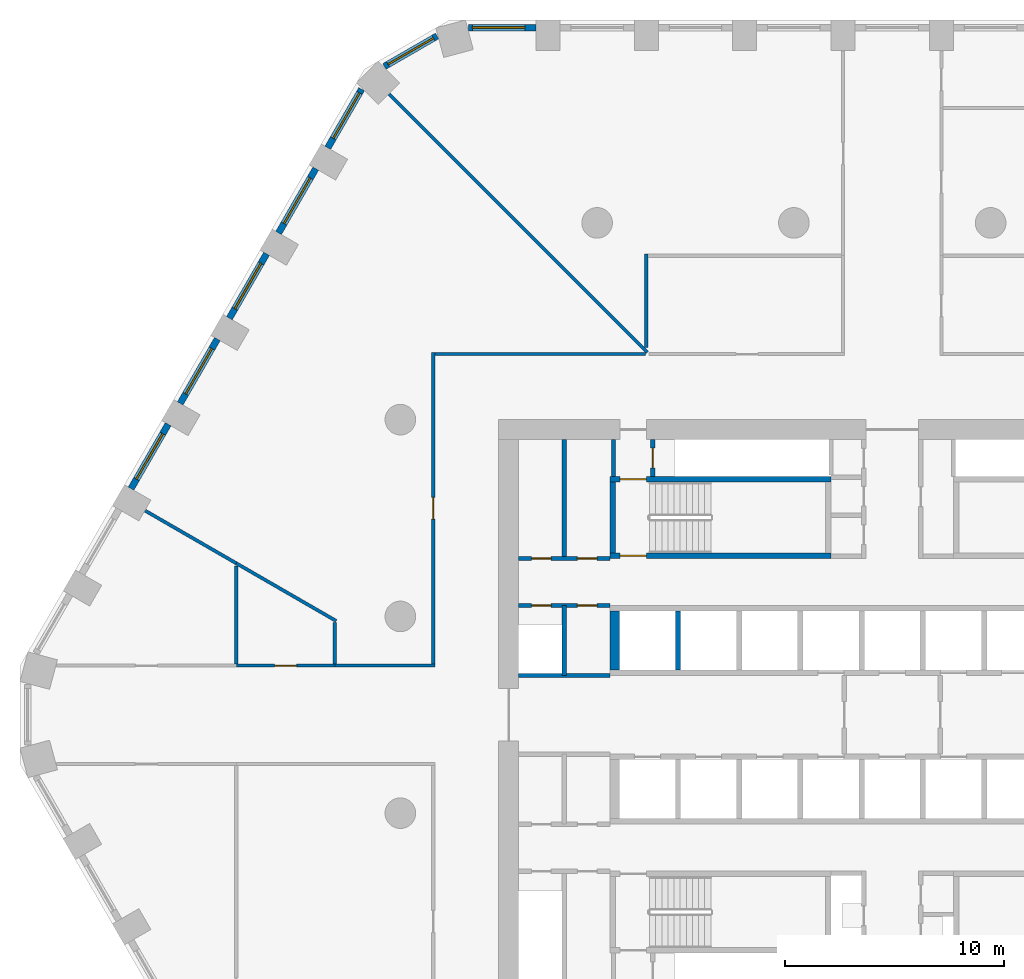
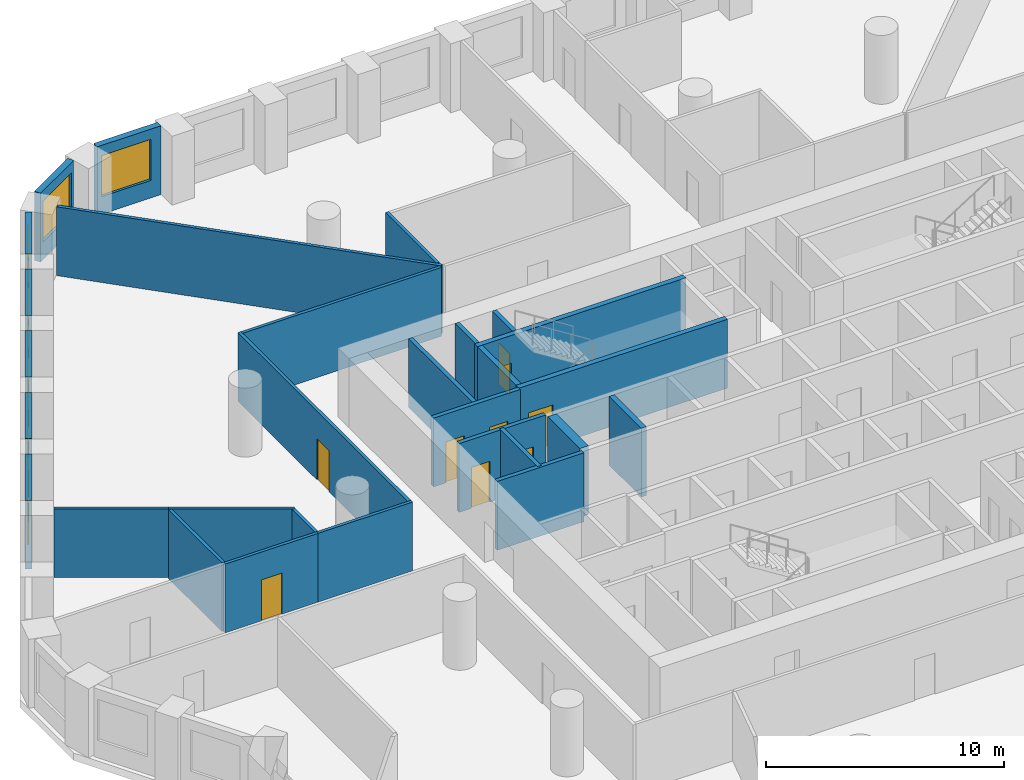
# One storey, part 5 of 10: 29 walls, 9 doors, 7 windows, 16 openings.
"""IFC4 building model written with IfcOpenShell, lengths in metres."""

from ifc_helpers import new_model, si_unit, direction, frame, frame_2d, origin, place, context, subcontext, project, spatial, polyline, rectangle, outline, extrude, material, layer, layer_set, type_object, element, fill, save


model = new_model("IFC4")

# Units and contexts
model_context = context("Model", 3, precision=1e-05, world=origin(), true_north=direction((0.0, 1.0)))
body_context = subcontext(model_context, "Body", "Model", "MODEL_VIEW")
ifc_project = project(units=[si_unit("LENGTHUNIT", "METRE"), si_unit("AREAUNIT", "SQUARE_METRE"), si_unit("VOLUMEUNIT", "CUBIC_METRE"), si_unit("PLANEANGLEUNIT", "RADIAN"), si_unit("MASSUNIT", "GRAM", prefix="KILO")], contexts=[model_context])

# Site, building, storey
site_placement = place(None, origin())
site = spatial("IfcSite", under=ifc_project, at=site_placement, CompositionType="ELEMENT")
building_placement = place(site_placement, origin())
building = spatial("IfcBuilding", under=site, at=building_placement, Name="Dhurran Vertical Campus", CompositionType="ELEMENT")
storey_placement = place(building_placement, frame((0.0, 0.0, 61.199951171875)))
storey = spatial("IfcBuildingStorey", under=building, at=storey_placement, Name="L14", CompositionType="ELEMENT", Elevation=61.199951171875)

# Wall, opening, window
ifc_material_1 = material(Name="Precast concrete C50/60", Category="concrete")
ifc_layer_1 = layer(ifc_material_1, 0.300048828125)
ifc_layer_set_1 = layer_set([ifc_layer_1], Name="Precast concrete C50/60")
wall_type_1 = type_object("IfcWallType", Name="Precast spandrel wall 300", PredefinedType="SOLIDWALL", material=ifc_layer_set_1)
wall_1_placement = place(storey_placement, frame((-16.300537109375, 31.4296875, 0.0), z_axis=(0.0, 0.0, 1.0), x_axis=(-1.0, 0.0, 0.0)))
wall_1 = element("IfcWall", 1, at=wall_1_placement, inside=storey, type_object=wall_type_1, Name="EW1 L14.34", PredefinedType="SOLIDWALL", context=body_context, shape_type="SweptSolid", body=[
    extrude(rectangle(XDim=3.090576171875, YDim=0.300048828125, at=frame_2d((1.54541015625, 0.0))), origin(), (0.0, 0.0, 1.0), 3.525146484375),
])
opening_1_placement = place(wall_1_placement, frame((0.49951171875, 0.0, 0.89990234375)))
opening_1 = element("IfcOpeningElement", 2, at=opening_1_placement, cuts=wall_1, Name="Opening WT1", PredefinedType="OPENING", context=body_context, shape_type="SweptSolid", body=[
    extrude(rectangle(XDim=2.39990234375, YDim=2.10009765625, at=frame_2d((1.199951171875, 1.050048828125))), frame((0.0, 0.159912109375, 0.0), z_axis=(0.0, -1.0, 0.0), x_axis=(1.0, 0.0, 0.0)), (0.0, 0.0, 1.0), 0.320068359375),
])
ifc_material_2 = material(Name="Aluminium frame with solar-control glass", Category="aluminium")
window_type = type_object("IfcWindowType", Name="Punched window 2400 x 2100", PartitioningType="SINGLE_PANEL", PredefinedType="WINDOW", material=ifc_material_2)
window_1_placement = place(opening_1_placement, origin())
window_1 = element("IfcWindow", 3, at=window_1_placement, inside=storey, type_object=window_type, Name="WT1 L14.34", OverallHeight=2.10009765625, OverallWidth=2.39990234375, PartitioningType="SINGLE_PANEL", PredefinedType="WINDOW", context=body_context, shape_type="SweptSolid", body=[
    extrude(rectangle(XDim=2.39990234375, YDim=2.10009765625, at=frame_2d((1.199951171875, 1.050048828125))), frame((0.0, 0.030029296875, 0.0), z_axis=(0.0, -1.0, 0.0), x_axis=(1.0, 0.0, 0.0)), (0.0, 0.0, 1.0), 0.06005859375),
])
fill(opening_1, window_1)

wall_2_placement = place(storey_placement, frame((-20.81884765625, 31.047119140625, 0.0), z_axis=(0.0, 0.0, 1.0), x_axis=(-0.866020456713, -0.500008568482, 0.0)))
wall_2 = element("IfcWall", 4, at=wall_2_placement, inside=storey, type_object=wall_type_1, Name="EW1 L14.35", PredefinedType="SOLIDWALL", context=body_context, shape_type="SweptSolid", body=[
    extrude(rectangle(XDim=2.7822265625, YDim=0.300048828125, at=frame_2d((1.39111328125, 0.0))), origin(), (0.0, 0.0, 1.0), 3.525146484375),
])
opening_2_placement = place(wall_2_placement, frame((0.191162109375, 0.0, 0.89990234375)))
opening_2 = element("IfcOpeningElement", 5, at=opening_2_placement, cuts=wall_2, Name="Opening WT1", PredefinedType="OPENING", context=body_context, shape_type="SweptSolid", body=[
    extrude(rectangle(XDim=2.39990234375, YDim=2.10009765625, at=frame_2d((1.199951171875, 1.050048828125))), frame((0.0, 0.159912109375, 0.0), z_axis=(0.0, -1.0, 0.0), x_axis=(1.0, 0.0, 0.0)), (0.0, 0.0, 1.0), 0.320068359375),
])
window_2_placement = place(opening_2_placement, origin())
window_2 = element("IfcWindow", 6, at=window_2_placement, inside=storey, type_object=window_type, Name="WT1 L14.35", OverallHeight=2.10009765625, OverallWidth=2.39990234375, PartitioningType="SINGLE_PANEL", PredefinedType="WINDOW", context=body_context, shape_type="SweptSolid", body=[
    extrude(rectangle(XDim=2.39990234375, YDim=2.10009765625, at=frame_2d((1.199951171875, 1.050048828125))), frame((0.0, 0.030029296875, 0.0), z_axis=(0.0, -1.0, 0.0), x_axis=(1.0, 0.0, 0.0)), (0.0, 0.0, 1.0), 0.06005859375),
])
fill(opening_2, window_2)

wall_3_placement = place(storey_placement, frame((-24.2734375, 28.611083984375, 0.0), z_axis=(0.0, 0.0, 1.0), x_axis=(-0.499995950774, -0.866027741594, 0.0)))
wall_3 = element("IfcWall", 7, at=wall_3_placement, inside=storey, type_object=wall_type_1, Name="EW1 L14.36", PredefinedType="SOLIDWALL", context=body_context, shape_type="SweptSolid", body=[
    extrude(rectangle(XDim=3.0908203125, YDim=0.300048828125, at=frame_2d((1.54541015625, 0.0))), origin(), (0.0, 0.0, 1.0), 3.525146484375),
])
opening_3_placement = place(wall_3_placement, frame((0.191162109375, 0.0, 0.89990234375)))
opening_3 = element("IfcOpeningElement", 8, at=opening_3_placement, cuts=wall_3, Name="Opening WT1", PredefinedType="OPENING", context=body_context, shape_type="SweptSolid", body=[
    extrude(rectangle(XDim=2.39990234375, YDim=2.10009765625, at=frame_2d((1.199951171875, 1.050048828125))), frame((0.0, 0.159912109375, 0.0), z_axis=(0.0, -1.0, 0.0), x_axis=(1.0, 0.0, 0.0)), (0.0, 0.0, 1.0), 0.320068359375),
])
window_3_placement = place(opening_3_placement, origin())
window_3 = element("IfcWindow", 9, at=window_3_placement, inside=storey, type_object=window_type, Name="WT1 L14.36", OverallHeight=2.10009765625, OverallWidth=2.39990234375, PartitioningType="SINGLE_PANEL", PredefinedType="WINDOW", context=body_context, shape_type="SweptSolid", body=[
    extrude(rectangle(XDim=2.39990234375, YDim=2.10009765625, at=frame_2d((1.199951171875, 1.050048828125))), frame((0.0, 0.030029296875, 0.0), z_axis=(0.0, -1.0, 0.0), x_axis=(1.0, 0.0, 0.0)), (0.0, 0.0, 1.0), 0.06005859375),
])
fill(opening_3, window_3)

wall_4_placement = place(storey_placement, frame((-26.369384765625, 24.98095703125, 0.0), z_axis=(0.0, 0.0, 1.0), x_axis=(-0.499993955907, -0.866028893315, 0.0)))
wall_4 = element("IfcWall", 10, at=wall_4_placement, inside=storey, type_object=wall_type_1, Name="EW1 L14.37", PredefinedType="SOLIDWALL", context=body_context, shape_type="SweptSolid", body=[
    extrude(rectangle(XDim=3.39892578125, YDim=0.300048828125, at=frame_2d((1.699462890625, 0.0))), origin(), (0.0, 0.0, 1.0), 3.525146484375),
])
opening_4_placement = place(wall_4_placement, frame((0.49951171875, 0.0, 0.89990234375)))
opening_4 = element("IfcOpeningElement", 11, at=opening_4_placement, cuts=wall_4, Name="Opening WT1", PredefinedType="OPENING", context=body_context, shape_type="SweptSolid", body=[
    extrude(rectangle(XDim=2.39990234375, YDim=2.10009765625, at=frame_2d((1.199951171875, 1.050048828125))), frame((0.0, 0.159912109375, 0.0), z_axis=(0.0, -1.0, 0.0), x_axis=(1.0, 0.0, 0.0)), (0.0, 0.0, 1.0), 0.320068359375),
])
window_4_placement = place(opening_4_placement, origin())
window_4 = element("IfcWindow", 12, at=window_4_placement, inside=storey, type_object=window_type, Name="WT1 L14.37", OverallHeight=2.10009765625, OverallWidth=2.39990234375, PartitioningType="SINGLE_PANEL", PredefinedType="WINDOW", context=body_context, shape_type="SweptSolid", body=[
    extrude(rectangle(XDim=2.39990234375, YDim=2.10009765625, at=frame_2d((1.199951171875, 1.050048828125))), frame((0.0, 0.030029296875, 0.0), z_axis=(0.0, -1.0, 0.0), x_axis=(1.0, 0.0, 0.0)), (0.0, 0.0, 1.0), 0.06005859375),
])
fill(opening_4, window_4)

wall_5_placement = place(storey_placement, frame((-28.619384765625, 21.083740234375, 0.0), z_axis=(0.0, 0.0, 1.0), x_axis=(-0.499993955907, -0.866028893315, 0.0)))
wall_5 = element("IfcWall", 13, at=wall_5_placement, inside=storey, type_object=wall_type_1, Name="EW1 L14.38", PredefinedType="SOLIDWALL", context=body_context, shape_type="SweptSolid", body=[
    extrude(rectangle(XDim=3.39892578125, YDim=0.300048828125, at=frame_2d((1.699462890625, 0.0))), origin(), (0.0, 0.0, 1.0), 3.525146484375),
])
opening_5_placement = place(wall_5_placement, frame((0.49951171875, 0.0, 0.89990234375)))
opening_5 = element("IfcOpeningElement", 14, at=opening_5_placement, cuts=wall_5, Name="Opening WT1", PredefinedType="OPENING", context=body_context, shape_type="SweptSolid", body=[
    extrude(rectangle(XDim=2.39990234375, YDim=2.10009765625, at=frame_2d((1.199951171875, 1.050048828125))), frame((0.0, 0.159912109375, 0.0), z_axis=(0.0, -1.0, 0.0), x_axis=(1.0, 0.0, 0.0)), (0.0, 0.0, 1.0), 0.320068359375),
])
window_5_placement = place(opening_5_placement, origin())
window_5 = element("IfcWindow", 15, at=window_5_placement, inside=storey, type_object=window_type, Name="WT1 L14.38", OverallHeight=2.10009765625, OverallWidth=2.39990234375, PartitioningType="SINGLE_PANEL", PredefinedType="WINDOW", context=body_context, shape_type="SweptSolid", body=[
    extrude(rectangle(XDim=2.39990234375, YDim=2.10009765625, at=frame_2d((1.199951171875, 1.050048828125))), frame((0.0, 0.030029296875, 0.0), z_axis=(0.0, -1.0, 0.0), x_axis=(1.0, 0.0, 0.0)), (0.0, 0.0, 1.0), 0.06005859375),
])
fill(opening_5, window_5)

wall_6_placement = place(storey_placement, frame((-30.869384765625, 17.186767578125, 0.0), z_axis=(0.0, 0.0, 1.0), x_axis=(-0.499993955907, -0.866028893315, 0.0)))
wall_6 = element("IfcWall", 16, at=wall_6_placement, inside=storey, type_object=wall_type_1, Name="EW1 L14.39", PredefinedType="SOLIDWALL", context=body_context, shape_type="SweptSolid", body=[
    extrude(rectangle(XDim=3.39892578125, YDim=0.300048828125, at=frame_2d((1.699462890625, 0.0))), origin(), (0.0, 0.0, 1.0), 3.525146484375),
])
opening_6_placement = place(wall_6_placement, frame((0.49951171875, 0.0, 0.89990234375)))
opening_6 = element("IfcOpeningElement", 17, at=opening_6_placement, cuts=wall_6, Name="Opening WT1", PredefinedType="OPENING", context=body_context, shape_type="SweptSolid", body=[
    extrude(rectangle(XDim=2.39990234375, YDim=2.10009765625, at=frame_2d((1.199951171875, 1.050048828125))), frame((0.0, 0.159912109375, 0.0), z_axis=(0.0, -1.0, 0.0), x_axis=(1.0, 0.0, 0.0)), (0.0, 0.0, 1.0), 0.320068359375),
])
window_6_placement = place(opening_6_placement, origin())
window_6 = element("IfcWindow", 18, at=window_6_placement, inside=storey, type_object=window_type, Name="WT1 L14.39", OverallHeight=2.10009765625, OverallWidth=2.39990234375, PartitioningType="SINGLE_PANEL", PredefinedType="WINDOW", context=body_context, shape_type="SweptSolid", body=[
    extrude(rectangle(XDim=2.39990234375, YDim=2.10009765625, at=frame_2d((1.199951171875, 1.050048828125))), frame((0.0, 0.030029296875, 0.0), z_axis=(0.0, -1.0, 0.0), x_axis=(1.0, 0.0, 0.0)), (0.0, 0.0, 1.0), 0.06005859375),
])
fill(opening_6, window_6)

wall_7_placement = place(storey_placement, frame((-33.119384765625, 13.28955078125, 0.0), z_axis=(0.0, 0.0, 1.0), x_axis=(-0.499993955907, -0.866028893315, 0.0)))
wall_7 = element("IfcWall", 19, at=wall_7_placement, inside=storey, type_object=wall_type_1, Name="EW1 L14.40", PredefinedType="SOLIDWALL", context=body_context, shape_type="SweptSolid", body=[
    extrude(rectangle(XDim=3.39892578125, YDim=0.300048828125, at=frame_2d((1.699462890625, 0.0))), origin(), (0.0, 0.0, 1.0), 3.525146484375),
])
opening_7_placement = place(wall_7_placement, frame((0.49951171875, 0.0, 0.89990234375)))
opening_7 = element("IfcOpeningElement", 20, at=opening_7_placement, cuts=wall_7, Name="Opening WT1", PredefinedType="OPENING", context=body_context, shape_type="SweptSolid", body=[
    extrude(rectangle(XDim=2.39990234375, YDim=2.10009765625, at=frame_2d((1.199951171875, 1.050048828125))), frame((0.0, 0.159912109375, 0.0), z_axis=(0.0, -1.0, 0.0), x_axis=(1.0, 0.0, 0.0)), (0.0, 0.0, 1.0), 0.320068359375),
])
window_7_placement = place(opening_7_placement, origin())
window_7 = element("IfcWindow", 21, at=window_7_placement, inside=storey, type_object=window_type, Name="WT1 L14.40", OverallHeight=2.10009765625, OverallWidth=2.39990234375, PartitioningType="SINGLE_PANEL", PredefinedType="WINDOW", context=body_context, shape_type="SweptSolid", body=[
    extrude(rectangle(XDim=2.39990234375, YDim=2.10009765625, at=frame_2d((1.199951171875, 1.050048828125))), frame((0.0, 0.030029296875, 0.0), z_axis=(0.0, -1.0, 0.0), x_axis=(1.0, 0.0, 0.0)), (0.0, 0.0, 1.0), 0.06005859375),
])
fill(opening_7, window_7)

# Wall
ifc_material_3 = material(Name="Fire-rated masonry blockwork", Category="masonry")
ifc_layer_2 = layer(ifc_material_3, 0.199951171875)
ifc_layer_set_2 = layer_set([ifc_layer_2], Name="Fire-rated masonry blockwork")
wall_type_2 = type_object("IfcWallType", Name="co-FIRE-PARTITION-200", PredefinedType="PARTITIONING", material=ifc_layer_set_2)
wall_8_placement = place(storey_placement, frame((-12.75, 10.89990234375, 0.0), z_axis=(0.0, 0.0, 1.0), x_axis=(0.0, 1.0, 0.0)))
element("IfcWall", 22, at=wall_8_placement, inside=storey, type_object=wall_type_2, Name="Core partition pass-ST1-o L14", PredefinedType="PARTITIONING", context=body_context, shape_type="SweptSolid", body=[
    extrude(rectangle(XDim=1.7001953125, YDim=0.199951171875, at=frame_2d((0.85009765625, 0.0))), origin(), (0.0, 0.0, 1.0), 3.525146484375),
])

# Wall, opening, door
wall_9_placement = place(storey_placement, frame((-10.949951171875, 10.89990234375, 0.0), z_axis=(0.0, 0.0, 1.0), x_axis=(0.0, 1.0, 0.0)))
wall_9 = element("IfcWall", 23, at=wall_9_placement, inside=storey, type_object=wall_type_2, Name="Core partition pass-ST1-i L14", PredefinedType="PARTITIONING", context=body_context, shape_type="SweptSolid", body=[
    extrude(rectangle(XDim=1.7001953125, YDim=0.199951171875, at=frame_2d((0.85009765625, 0.0))), origin(), (0.0, 0.0, 1.0), 3.525146484375),
])
opening_8_placement = place(wall_9_placement, frame((0.39990234375, 0.0, 0.0)))
opening_8 = element("IfcOpeningElement", 24, at=opening_8_placement, cuts=wall_9, Name="Opening T03-C10", PredefinedType="OPENING", context=body_context, shape_type="SweptSolid", body=[
    extrude(rectangle(XDim=0.89990234375, YDim=2.10009765625, at=frame_2d((0.449951171875, 1.050048828125))), frame((0.0, 0.10986328125, 0.0), z_axis=(0.0, -1.0, 0.0), x_axis=(1.0, 0.0, 0.0)), (0.0, 0.0, 1.0), 0.219970703125),
])
ifc_material_4 = material(Name="Fire-rated timber door set", Category="wood")
door_type_1 = type_object("IfcDoorType", Name="co-D-ROOM 900x2100", OperationType="SINGLE_SWING_LEFT", PredefinedType="DOOR", material=ifc_material_4)
door_1_placement = place(opening_8_placement, origin())
door_1 = element("IfcDoor", 25, at=door_1_placement, inside=storey, type_object=door_type_1, Name="Riser room door L14", OperationType="SINGLE_SWING_LEFT", OverallHeight=2.10009765625, OverallWidth=0.89990234375, PredefinedType="DOOR", context=body_context, shape_type="SweptSolid", body=[
    extrude(rectangle(XDim=0.89990234375, YDim=2.10009765625, at=frame_2d((0.449951171875, 1.050048828125))), frame((0.0, 0.02490234375, 0.0), z_axis=(0.0, -1.0, 0.0), x_axis=(1.0, 0.0, 0.0)), (0.0, 0.0, 1.0), 0.050048828125),
])
fill(opening_8, door_1)

# Wall
wall_10_placement = place(storey_placement, frame((-15.0, 7.14990234375, 0.0), z_axis=(0.0, 0.0, 1.0), x_axis=(0.0, 1.0, 0.0)))
element("IfcWall", 26, at=wall_10_placement, inside=storey, type_object=wall_type_2, Name="Core partition en-NW-cut0 L14", PredefinedType="PARTITIONING", context=body_context, shape_type="SweptSolid", body=[
    extrude(rectangle(XDim=5.4501953125, YDim=0.199951171875, at=frame_2d((2.72509765625, 0.0))), origin(), (0.0, 0.0, 1.0), 3.525146484375),
])

# Wall, openings, doors
wall_11_placement = place(storey_placement, frame((-17.10009765625, 7.14990234375, 0.0), z_axis=(0.0, 0.0, 1.0), x_axis=(1.0, 0.0, 0.0)))
wall_11 = element("IfcWall", 27, at=wall_11_placement, inside=storey, type_object=wall_type_2, Name="Core partition en-NW-w L14", PredefinedType="PARTITIONING", context=body_context, shape_type="SweptSolid", body=[
    extrude(rectangle(XDim=4.2001953125, YDim=0.199951171875, at=frame_2d((2.10009765625, 0.0))), origin(), (0.0, 0.0, 1.0), 3.525146484375),
])
opening_9_placement = place(wall_11_placement, frame((0.60009765625, 0.0, 0.0)))
opening_9 = element("IfcOpeningElement", 28, at=opening_9_placement, cuts=wall_11, Name="Opening T03-C14", PredefinedType="OPENING", context=body_context, shape_type="SweptSolid", body=[
    extrude(rectangle(XDim=0.89990234375, YDim=2.10009765625, at=frame_2d((0.449951171875, 1.050048828125))), frame((0.0, 0.10986328125, 0.0), z_axis=(0.0, -1.0, 0.0), x_axis=(1.0, 0.0, 0.0)), (0.0, 0.0, 1.0), 0.219970703125),
])
opening_10_placement = place(wall_11_placement, frame((2.699951171875, 0.0, 0.0)))
opening_10 = element("IfcOpeningElement", 29, at=opening_10_placement, cuts=wall_11, Name="Opening T03-C15", PredefinedType="OPENING", context=body_context, shape_type="SweptSolid", body=[
    extrude(rectangle(XDim=0.89990234375, YDim=2.10009765625, at=frame_2d((0.449951171875, 1.050048828125))), frame((0.0, 0.10986328125, 0.0), z_axis=(0.0, -1.0, 0.0), x_axis=(1.0, 0.0, 0.0)), (0.0, 0.0, 1.0), 0.219970703125),
])
door_2_placement = place(opening_9_placement, origin())
door_2 = element("IfcDoor", 30, at=door_2_placement, inside=storey, type_object=door_type_1, Name="Store door L14", OperationType="SINGLE_SWING_LEFT", OverallHeight=2.10009765625, OverallWidth=0.89990234375, PredefinedType="DOOR", context=body_context, shape_type="SweptSolid", body=[
    extrude(rectangle(XDim=0.89990234375, YDim=2.10009765625, at=frame_2d((0.449951171875, 1.050048828125))), frame((0.0, 0.02490234375, 0.0), z_axis=(0.0, -1.0, 0.0), x_axis=(1.0, 0.0, 0.0)), (0.0, 0.0, 1.0), 0.050048828125),
])
fill(opening_9, door_2)
door_3_placement = place(opening_10_placement, origin())
door_3 = element("IfcDoor", 31, at=door_3_placement, inside=storey, type_object=door_type_1, Name="Print room door L14", OperationType="SINGLE_SWING_LEFT", OverallHeight=2.10009765625, OverallWidth=0.89990234375, PredefinedType="DOOR", context=body_context, shape_type="SweptSolid", body=[
    extrude(rectangle(XDim=0.89990234375, YDim=2.10009765625, at=frame_2d((0.449951171875, 1.050048828125))), frame((0.0, 0.02490234375, 0.0), z_axis=(0.0, -1.0, 0.0), x_axis=(1.0, 0.0, 0.0)), (0.0, 0.0, 1.0), 0.050048828125),
])
fill(opening_10, door_3)

# Wall
wall_12_placement = place(storey_placement, frame((-15.0, 1.800048828125, 0.0), z_axis=(0.0, 0.0, 1.0), x_axis=(0.0, 1.0, 0.0)))
element("IfcWall", 32, at=wall_12_placement, inside=storey, type_object=wall_type_2, Name="Core partition es-NW-cut0 L14", PredefinedType="PARTITIONING", context=body_context, shape_type="SweptSolid", body=[
    extrude(rectangle(XDim=3.199951171875, YDim=0.199951171875, at=frame_2d((1.60009765625, 0.0))), origin(), (0.0, 0.0, 1.0), 3.525146484375),
])

# Wall, openings, doors
wall_13_placement = place(storey_placement, frame((-17.10009765625, 5.0, 0.0), z_axis=(0.0, 0.0, 1.0), x_axis=(1.0, 0.0, 0.0)))
wall_13 = element("IfcWall", 33, at=wall_13_placement, inside=storey, type_object=wall_type_2, Name="Core partition es-NW-w L14", PredefinedType="PARTITIONING", context=body_context, shape_type="SweptSolid", body=[
    extrude(rectangle(XDim=4.2001953125, YDim=0.199951171875, at=frame_2d((2.10009765625, 0.0))), origin(), (0.0, 0.0, 1.0), 3.525146484375),
])
opening_11_placement = place(wall_13_placement, frame((0.60009765625, 0.0, 0.0)))
opening_11 = element("IfcOpeningElement", 34, at=opening_11_placement, cuts=wall_13, Name="Opening T03-C16", PredefinedType="OPENING", context=body_context, shape_type="SweptSolid", body=[
    extrude(rectangle(XDim=0.89990234375, YDim=2.10009765625, at=frame_2d((0.449951171875, 1.050048828125))), frame((0.0, 0.10986328125, 0.0), z_axis=(0.0, -1.0, 0.0), x_axis=(1.0, 0.0, 0.0)), (0.0, 0.0, 1.0), 0.219970703125),
])
opening_12_placement = place(wall_13_placement, frame((2.699951171875, 0.0, 0.0)))
opening_12 = element("IfcOpeningElement", 35, at=opening_12_placement, cuts=wall_13, Name="Opening T03-C17", PredefinedType="OPENING", context=body_context, shape_type="SweptSolid", body=[
    extrude(rectangle(XDim=0.89990234375, YDim=2.10009765625, at=frame_2d((0.449951171875, 1.050048828125))), frame((0.0, 0.10986328125, 0.0), z_axis=(0.0, -1.0, 0.0), x_axis=(1.0, 0.0, 0.0)), (0.0, 0.0, 1.0), 0.219970703125),
])
door_4_placement = place(opening_11_placement, origin())
door_4 = element("IfcDoor", 36, at=door_4_placement, inside=storey, type_object=door_type_1, Name="Electrical riser door L14", OperationType="SINGLE_SWING_LEFT", OverallHeight=2.10009765625, OverallWidth=0.89990234375, PredefinedType="DOOR", context=body_context, shape_type="SweptSolid", body=[
    extrude(rectangle(XDim=0.89990234375, YDim=2.10009765625, at=frame_2d((0.449951171875, 1.050048828125))), frame((0.0, 0.02490234375, 0.0), z_axis=(0.0, -1.0, 0.0), x_axis=(1.0, 0.0, 0.0)), (0.0, 0.0, 1.0), 0.050048828125),
])
fill(opening_11, door_4)
door_5_placement = place(opening_12_placement, origin())
door_5 = element("IfcDoor", 37, at=door_5_placement, inside=storey, type_object=door_type_1, Name="Server room door L14", OperationType="SINGLE_SWING_LEFT", OverallHeight=2.10009765625, OverallWidth=0.89990234375, PredefinedType="DOOR", context=body_context, shape_type="SweptSolid", body=[
    extrude(rectangle(XDim=0.89990234375, YDim=2.10009765625, at=frame_2d((0.449951171875, 1.050048828125))), frame((0.0, 0.02490234375, 0.0), z_axis=(0.0, -1.0, 0.0), x_axis=(1.0, 0.0, 0.0)), (0.0, 0.0, 1.0), 0.050048828125),
])
fill(opening_12, door_5)

# Walls
wall_14_placement = place(storey_placement, frame((-17.10009765625, 1.800048828125, 0.0), z_axis=(0.0, 0.0, 1.0), x_axis=(1.0, 0.0, 0.0)))
element("IfcWall", 38, at=wall_14_placement, inside=storey, type_object=wall_type_2, Name="Core partition es-NW-l L14", PredefinedType="PARTITIONING", context=body_context, shape_type="SweptSolid", body=[
    extrude(rectangle(XDim=4.2001953125, YDim=0.199951171875, at=frame_2d((2.10009765625, 0.0))), origin(), (0.0, 0.0, 1.0), 3.525146484375),
])
ifc_material_5 = material(Name="Concrete C50/60", Category="concrete")
ifc_layer_3 = layer(ifc_material_5, 0.25)
ifc_layer_set_3 = layer_set([ifc_layer_3], Name="Concrete C50/60")
wall_type_3 = type_object("IfcWallType", Name="co-SHAFT-MASS-250", PredefinedType="SHEAR", material=ifc_layer_set_3)
wall_15_placement = place(storey_placement, origin())
element("IfcWall", 39, at=wall_15_placement, inside=storey, type_object=wall_type_3, Name="Lift shaft wall N L14 2", PredefinedType="SHEAR", context=body_context, shape_type="SweptSolid", body=[
    extrude(outline(polyline([(-12.89990234375, 2.050048828125), (-12.47509765625, 2.050048828125), (-12.47509765625, 4.75), (-12.89990234375, 4.75), (-12.89990234375, 2.050048828125)])), origin(), (0.0, 0.0, 1.0), 3.525146484375),
])
wall_16_placement = place(storey_placement, origin())
element("IfcWall", 40, at=wall_16_placement, inside=storey, type_object=wall_type_3, Name="Lift shaft wall N L14 3", PredefinedType="SHEAR", context=body_context, shape_type="SweptSolid", body=[
    extrude(outline(polyline([(-9.925048828125, 2.050048828125), (-9.675048828125, 2.050048828125), (-9.675048828125, 4.75), (-9.925048828125, 4.75), (-9.925048828125, 2.050048828125)])), origin(), (0.0, 0.0, 1.0), 3.525146484375),
])

# Wall, opening, door
ifc_material_6 = material(Name="Concrete C40/50", Category="concrete")
ifc_layer_4 = layer(ifc_material_6, 0.25)
ifc_layer_set_4 = layer_set([ifc_layer_4], Name="Concrete C40/50")
wall_type_4 = type_object("IfcWallType", Name="co-STAIR-WALL-250", PredefinedType="SHEAR", material=ifc_layer_set_4)
wall_17_placement = place(storey_placement, frame((-12.89990234375, 7.27490234375, 0.0), z_axis=(0.0, 0.0, 1.0), x_axis=(1.0, 0.0, 0.0)))
wall_17 = element("IfcWall", 41, at=wall_17_placement, inside=storey, type_object=wall_type_4, Name="Stair ST1 enclosure wall L14", PredefinedType="SHEAR", context=body_context, shape_type="SweptSolid", body=[
    extrude(rectangle(XDim=10.099853515625, YDim=0.25, at=frame_2d((5.0498046875, 0.0))), origin(), (0.0, 0.0, 1.0), 3.525146484375),
])
opening_13_placement = place(wall_17_placement, frame((0.449951171875, 0.0, 0.0)))
opening_13 = element("IfcOpeningElement", 42, at=opening_13_placement, cuts=wall_17, Name="Opening SD1", PredefinedType="OPENING", context=body_context, shape_type="SweptSolid", body=[
    extrude(rectangle(XDim=1.199951171875, YDim=2.10009765625, at=frame_2d((0.60009765625, 1.050048828125))), frame((0.0, 0.135009765625, 0.0), z_axis=(0.0, -1.0, 0.0), x_axis=(1.0, 0.0, 0.0)), (0.0, 0.0, 1.0), 0.27001953125),
])
ifc_material_7 = material(Name="Fire-rated steel door set", Category="steel")
door_type_2 = type_object("IfcDoorType", Name="co-D-STAIR 1200x2100", OperationType="SINGLE_SWING_LEFT", PredefinedType="DOOR", material=ifc_material_7)
door_6_placement = place(opening_13_placement, origin())
door_6 = element("IfcDoor", 43, at=door_6_placement, inside=storey, type_object=door_type_2, Name="Stair ST1 door L14", OperationType="SINGLE_SWING_LEFT", OverallHeight=2.10009765625, OverallWidth=1.199951171875, PredefinedType="DOOR", context=body_context, shape_type="SweptSolid", body=[
    extrude(rectangle(XDim=1.199951171875, YDim=2.10009765625, at=frame_2d((0.60009765625, 1.050048828125))), frame((0.0, 0.02490234375, 0.0), z_axis=(0.0, -1.0, 0.0), x_axis=(1.0, 0.0, 0.0)), (0.0, 0.0, 1.0), 0.050048828125),
])
fill(opening_13, door_6)

wall_18_placement = place(storey_placement, frame((-12.89990234375, 10.77490234375, 0.0), z_axis=(0.0, 0.0, 1.0), x_axis=(1.0, 0.0, 0.0)))
wall_18 = element("IfcWall", 44, at=wall_18_placement, inside=storey, type_object=wall_type_4, Name="Stair ST1 enclosure wall L14", PredefinedType="SHEAR", context=body_context, shape_type="SweptSolid", body=[
    extrude(rectangle(XDim=10.099853515625, YDim=0.25, at=frame_2d((5.0498046875, 0.0))), origin(), (0.0, 0.0, 1.0), 3.525146484375),
])
opening_14_placement = place(wall_18_placement, frame((0.449951171875, 0.0, 0.0)))
opening_14 = element("IfcOpeningElement", 45, at=opening_14_placement, cuts=wall_18, Name="Opening XS1", PredefinedType="OPENING", context=body_context, shape_type="SweptSolid", body=[
    extrude(rectangle(XDim=1.199951171875, YDim=2.10009765625, at=frame_2d((0.60009765625, 1.050048828125))), frame((0.0, 0.135009765625, 0.0), z_axis=(0.0, -1.0, 0.0), x_axis=(1.0, 0.0, 0.0)), (0.0, 0.0, 1.0), 0.27001953125),
])
ifc_material_8 = material(Name="Fire-rated steel door set", Category="steel")
door_type_3 = type_object("IfcDoorType", Name="co-D-STAIR-EXIT 1200x2100", OperationType="SINGLE_SWING_RIGHT", PredefinedType="DOOR", material=ifc_material_8)
door_7_placement = place(opening_14_placement, origin())
door_7 = element("IfcDoor", 46, at=door_7_placement, inside=storey, type_object=door_type_3, Name="Stair ST1 discharge door L14", OperationType="SINGLE_SWING_RIGHT", OverallHeight=2.10009765625, OverallWidth=1.199951171875, PredefinedType="DOOR", context=body_context, shape_type="SweptSolid", body=[
    extrude(rectangle(XDim=1.199951171875, YDim=2.10009765625, at=frame_2d((0.60009765625, 1.050048828125))), frame((0.0, 0.02490234375, 0.0), z_axis=(0.0, -1.0, 0.0), x_axis=(1.0, 0.0, 0.0)), (0.0, 0.0, 1.0), 0.050048828125),
])
fill(opening_14, door_7)

# Wall
wall_19_placement = place(storey_placement, frame((-12.77490234375, 7.39990234375, 0.0), z_axis=(0.0, 0.0, 1.0), x_axis=(0.0, 1.0, 0.0)))
element("IfcWall", 47, at=wall_19_placement, inside=storey, type_object=wall_type_4, Name="Stair ST1 enclosure wall L14", PredefinedType="SHEAR", context=body_context, shape_type="SweptSolid", body=[
    extrude(rectangle(XDim=3.25, YDim=0.25, at=frame_2d((1.625, 0.0))), origin(), (0.0, 0.0, 1.0), 3.525146484375),
])

# Wall, opening, door
ifc_material_9 = material(Name="Gypsum board corridor wall on steel studs", Category="steel")
ifc_layer_5 = layer(ifc_material_9, 0.14990234375)
ifc_layer_set_5 = layer_set([ifc_layer_5], Name="Gypsum board corridor wall on steel studs")
wall_type_5 = type_object("IfcWallType", Name="fl-CW-150 corridor wall", PredefinedType="PARTITIONING", material=ifc_layer_set_5)
wall_20_placement = place(storey_placement, frame((-30.0, 2.25, 0.0), z_axis=(0.0, 0.0, 1.0), x_axis=(1.0, 0.0, 0.0)))
wall_20 = element("IfcWall", 48, at=wall_20_placement, inside=storey, type_object=wall_type_5, Name="Partition 14-08", PredefinedType="PARTITIONING", context=body_context, shape_type="SweptSolid", body=[
    extrude(rectangle(XDim=4.5, YDim=0.14990234375, at=frame_2d((2.25, 0.0))), origin(), (0.0, 0.0, 1.0), 3.525146484375),
])
opening_15_placement = place(wall_20_placement, frame((1.75, 0.0, 0.0)))
opening_15 = element("IfcOpeningElement", 49, at=opening_15_placement, cuts=wall_20, Name="Opening T03.03", PredefinedType="OPENING", context=body_context, shape_type="SweptSolid", body=[
    extrude(rectangle(XDim=1.0, YDim=2.10009765625, at=frame_2d((0.5, 1.050048828125))), frame((0.0, 0.0849609375, 0.0), z_axis=(0.0, -1.0, 0.0), x_axis=(1.0, 0.0, 0.0)), (0.0, 0.0, 1.0), 0.169921875),
])
ifc_material_10 = material(Name="Solid-core timber door set, fire-rated", Category="wood")
door_type_4 = type_object("IfcDoorType", Name="fl-D-1000x2100", OperationType="SINGLE_SWING_LEFT", PredefinedType="DOOR", material=ifc_material_10)
door_8_placement = place(opening_15_placement, origin())
door_8 = element("IfcDoor", 50, at=door_8_placement, inside=storey, type_object=door_type_4, Name="Door 14.03", OperationType="SINGLE_SWING_RIGHT", OverallHeight=2.10009765625, OverallWidth=1.0, PredefinedType="DOOR", context=body_context, shape_type="SweptSolid", body=[
    extrude(rectangle(XDim=1.0, YDim=2.10009765625, at=frame_2d((0.5, 1.050048828125))), frame((0.0, 0.02490234375, 0.0), z_axis=(0.0, -1.0, 0.0), x_axis=(1.0, 0.0, 0.0)), (0.0, 0.0, 1.0), 0.050048828125),
])
fill(opening_15, door_8)

# Wall
wall_21_placement = place(storey_placement, frame((-25.5, 2.25, 0.0), z_axis=(0.0, 0.0, 1.0), x_axis=(1.0, 0.0, 0.0)))
element("IfcWall", 51, at=wall_21_placement, inside=storey, type_object=wall_type_5, Name="Partition 14-11", PredefinedType="PARTITIONING", context=body_context, shape_type="SweptSolid", body=[
    extrude(rectangle(XDim=4.574951171875, YDim=0.14990234375, at=frame_2d((2.28759765625, 0.0))), origin(), (0.0, 0.0, 1.0), 3.525146484375),
])

# Wall, opening, door
wall_22_placement = place(storey_placement, frame((-21.0, 16.574951171875, 0.0), z_axis=(0.0, 0.0, 1.0), x_axis=(0.0, -1.0, 0.0)))
wall_22 = element("IfcWall", 52, at=wall_22_placement, inside=storey, type_object=wall_type_5, Name="Partition 14-15", PredefinedType="PARTITIONING", context=body_context, shape_type="SweptSolid", body=[
    extrude(rectangle(XDim=14.25, YDim=0.14990234375, at=frame_2d((7.125, 0.0))), origin(), (0.0, 0.0, 1.0), 3.525146484375),
])
opening_16_placement = place(wall_22_placement, frame((6.625, 0.0, 0.0)))
opening_16 = element("IfcOpeningElement", 53, at=opening_16_placement, cuts=wall_22, Name="Opening T03.04", PredefinedType="OPENING", context=body_context, shape_type="SweptSolid", body=[
    extrude(rectangle(XDim=1.0, YDim=2.10009765625, at=frame_2d((0.5, 1.050048828125))), frame((0.0, 0.0849609375, 0.0), z_axis=(0.0, -1.0, 0.0), x_axis=(1.0, 0.0, 0.0)), (0.0, 0.0, 1.0), 0.169921875),
])
door_9_placement = place(opening_16_placement, origin())
door_9 = element("IfcDoor", 54, at=door_9_placement, inside=storey, type_object=door_type_4, Name="Door 14.04", OperationType="SINGLE_SWING_LEFT", OverallHeight=2.10009765625, OverallWidth=1.0, PredefinedType="DOOR", context=body_context, shape_type="SweptSolid", body=[
    extrude(rectangle(XDim=1.0, YDim=2.10009765625, at=frame_2d((0.5, 1.050048828125))), frame((0.0, 0.02490234375, 0.0), z_axis=(0.0, -1.0, 0.0), x_axis=(1.0, 0.0, 0.0)), (0.0, 0.0, 1.0), 0.050048828125),
])
fill(opening_16, door_9)

# Walls
wall_23_placement = place(storey_placement, frame((-11.294921875, 16.5, 0.0), z_axis=(0.0, 0.0, 1.0), x_axis=(-1.0, 0.0, 0.0)))
element("IfcWall", 55, at=wall_23_placement, inside=storey, type_object=wall_type_5, Name="Partition 14-16", PredefinedType="PARTITIONING", context=body_context, shape_type="SweptSolid", body=[
    extrude(rectangle(XDim=9.630126953125, YDim=0.14990234375, at=frame_2d((4.81494140625, 0.0))), origin(), (0.0, 0.0, 1.0), 3.525146484375),
])
ifc_material_11 = material(Name="Gypsum board partition on steel studs", Category="steel")
ifc_layer_6 = layer(ifc_material_11, 0.14990234375)
ifc_layer_set_6 = layer_set([ifc_layer_6], Name="Gypsum board partition on steel studs")
wall_type_6 = type_object("IfcWallType", Name="fl-PW-150 fixed partition", PredefinedType="PARTITIONING", material=ifc_layer_set_6)
wall_24_placement = place(storey_placement, frame((-34.16748046875, 9.334228515625, 0.0), z_axis=(0.0, 0.0, 1.0), x_axis=(0.866011543723, -0.500024005562, 0.0)))
element("IfcWall", 56, at=wall_24_placement, inside=storey, type_object=wall_type_6, Name="Partition 14-03", PredefinedType="PARTITIONING", context=body_context, shape_type="SweptSolid", body=[
    extrude(rectangle(XDim=4.812255859375, YDim=0.14990234375, at=frame_2d((2.40625, 0.0))), origin(), (0.0, 0.0, 1.0), 3.525146484375),
])
wall_25_placement = place(storey_placement, frame((-30.0, 6.798095703125, 0.0), z_axis=(0.0, 0.0, 1.0), x_axis=(0.0, -1.0, 0.0)))
element("IfcWall", 57, at=wall_25_placement, inside=storey, type_object=wall_type_6, Name="Partition 14-07", PredefinedType="PARTITIONING", context=body_context, shape_type="SweptSolid", body=[
    extrude(rectangle(XDim=4.47314453125, YDim=0.14990234375, at=frame_2d((2.236572265625, 0.0))), origin(), (0.0, 0.0, 1.0), 3.525146484375),
])
wall_26_placement = place(storey_placement, frame((-30.0, 6.927978515625, 0.0), z_axis=(0.0, 0.0, 1.0), x_axis=(0.866031326857, -0.499989740797, 0.0)))
element("IfcWall", 58, at=wall_26_placement, inside=storey, type_object=wall_type_6, Name="Partition 14-09", PredefinedType="PARTITIONING", context=body_context, shape_type="SweptSolid", body=[
    extrude(rectangle(XDim=5.27099609375, YDim=0.14990234375, at=frame_2d((2.635498046875, 0.0))), origin(), (0.0, 0.0, 1.0), 3.525146484375),
])
wall_27_placement = place(storey_placement, frame((-25.5, 4.22998046875, 0.0), z_axis=(0.0, 0.0, 1.0), x_axis=(0.0, -1.0, 0.0)))
element("IfcWall", 59, at=wall_27_placement, inside=storey, type_object=wall_type_6, Name="Partition 14-10", PredefinedType="PARTITIONING", context=body_context, shape_type="SweptSolid", body=[
    extrude(rectangle(XDim=1.905029296875, YDim=0.14990234375, at=frame_2d((0.95263671875, 0.0))), origin(), (0.0, 0.0, 1.0), 3.525146484375),
])
wall_28_placement = place(storey_placement, frame((-23.01025390625, 28.393310546875, 0.0), z_axis=(0.0, 0.0, 1.0), x_axis=(0.707106781187, -0.707106781187, 0.0)))
element("IfcWall", 60, at=wall_28_placement, inside=storey, type_object=wall_type_6, Name="Partition 14-12", PredefinedType="PARTITIONING", context=body_context, shape_type="SweptSolid", body=[
    extrude(rectangle(XDim=16.70654296875, YDim=0.14990234375, at=frame_2d((8.353271484375, 0.0))), origin(), (0.0, 0.0, 1.0), 3.525146484375),
])
wall_29_placement = place(storey_placement, frame((-11.25, 21.074951171875, 0.0), z_axis=(0.0, 0.0, 1.0), x_axis=(0.0, -1.0, 0.0)))
element("IfcWall", 61, at=wall_29_placement, inside=storey, type_object=wall_type_6, Name="Partition 14-19", PredefinedType="PARTITIONING", context=body_context, shape_type="SweptSolid", body=[
    extrude(rectangle(XDim=4.266845703125, YDim=0.14990234375, at=frame_2d((2.13330078125, 0.0))), origin(), (0.0, 0.0, 1.0), 3.525146484375),
])

save(model, "model.ifc")
